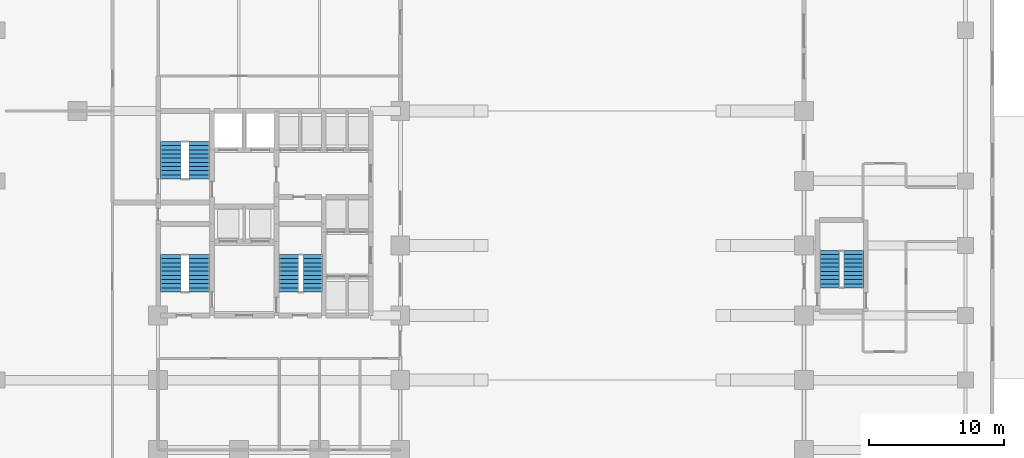
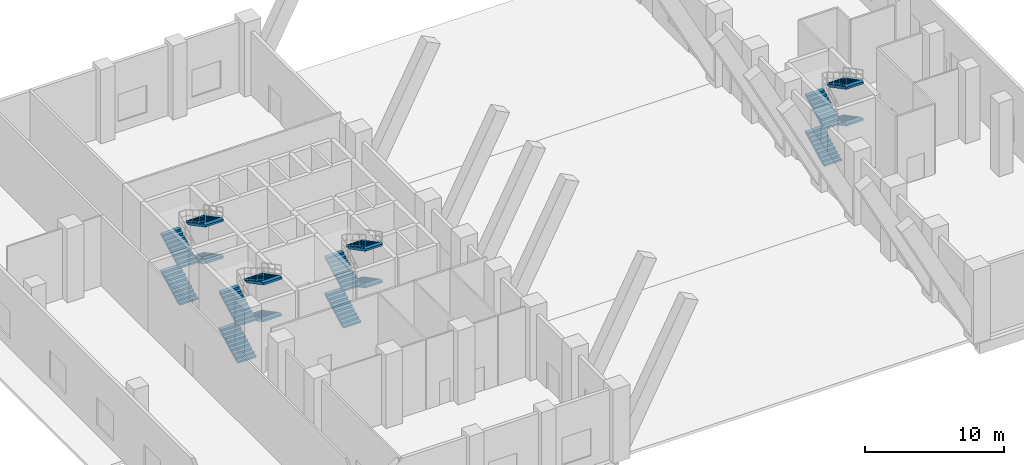
# One storey, part 7 of 10: 16 stair flights, 4 elements without a shape of their own.
"""IFC4 building model written with IfcOpenShell, lengths in metres."""

from ifc_helpers import new_model, si_unit, direction, frame, origin, place, context, subcontext, project, spatial, polyline, outline, extrude, material, type_object, element, aggregate, save


model = new_model("IFC4")

# Units and contexts
model_context = context("Model", 3, precision=1e-05, world=origin(), true_north=direction((0.0, 1.0)))
body_context = subcontext(model_context, "Body", "Model", "MODEL_VIEW")
ifc_project = project(units=[si_unit("LENGTHUNIT", "METRE"), si_unit("AREAUNIT", "SQUARE_METRE"), si_unit("VOLUMEUNIT", "CUBIC_METRE"), si_unit("PLANEANGLEUNIT", "RADIAN"), si_unit("MASSUNIT", "GRAM", prefix="KILO")], contexts=[model_context])

# Site, building, storey
site_placement = place(None, origin())
site = spatial("IfcSite", under=ifc_project, at=site_placement, CompositionType="ELEMENT")
building_placement = place(site_placement, origin())
building = spatial("IfcBuilding", under=site, at=building_placement, Name="Keshet Zoharim Tower", CompositionType="ELEMENT")
storey_placement = place(building_placement, origin())
storey = spatial("IfcBuildingStorey", under=building, at=storey_placement, Name="L00", CompositionType="ELEMENT", Elevation=0.0)

# Stair, stair flights
ifc_material = material(Name="Concrete C50/60", Category="concrete")
stair_type = type_object("IfcStairType", Name="STR-POD-135", PredefinedType="HALF_TURN_STAIR", material=ifc_material)
stair_1_placement = place(storey_placement, origin())
stair_1 = element("IfcStair", 1, at=stair_1_placement, inside=storey, type_object=stair_type, Name="L00 Enclosed Exit Stair ST-01", PredefinedType="HALF_TURN_STAIR")
stair_flight_type_1 = type_object("IfcStairFlightType", Name="FLT-PRE-135", PredefinedType="STRAIGHT", material=ifc_material)
stair_flight_1_placement = place(storey_placement, frame((15.945068359375, 24.43994140625, 0.0), z_axis=(0.0, 0.0, 1.0), x_axis=(0.0, 1.0, 0.0)))
stair_flight_1 = element("IfcStairFlight", 2, at=stair_flight_1_placement, type_object=stair_flight_type_1, Name="ST-01 flight 1", NumberOfRisers=10, NumberOfTreads=9, PredefinedType="STRAIGHT", RiserHeight=0.1625, TreadLength=0.31, context=body_context, shape_type="SweptSolid", body=[
    extrude(outline(polyline([(0.0, 0.0), (0.0, 0.16259765625), (0.31005859375, 0.16259765625), (0.31005859375, 0.324951171875), (0.6201171875, 0.324951171875), (0.6201171875, 0.487548828125), (0.929931640625, 0.487548828125), (0.929931640625, 0.64990234375), (1.239990234375, 0.64990234375), (1.239990234375, 0.8125), (1.550048828125, 0.8125), (1.550048828125, 0.97509765625), (1.860107421875, 0.97509765625), (1.860107421875, 1.137451171875), (2.169921875, 1.137451171875), (2.169921875, 1.300048828125), (2.47998046875, 1.300048828125), (2.47998046875, 1.46240234375), (2.7900390625, 1.46240234375), (2.7900390625, 1.625), (2.7900390625, 1.281982421875), (0.344482421875, 0.0), (0.0, 0.0)])), frame((0.0, 0.76513671875, 0.0), z_axis=(0.0, -1.0, 0.0), x_axis=(1.0, 0.0, 0.0)), (0.0, 0.0, 1.0), 1.530029296875),
])
stair_flight_2_placement = place(storey_placement, frame((18.054931640625, 27.22998046875, 1.625), z_axis=(0.0, 0.0, 1.0), x_axis=(0.0, -1.0, 0.0)))
stair_flight_2 = element("IfcStairFlight", 3, at=stair_flight_2_placement, type_object=stair_flight_type_1, Name="ST-01 flight 2", NumberOfRisers=10, NumberOfTreads=9, PredefinedType="STRAIGHT", RiserHeight=0.1625, TreadLength=0.31, context=body_context, shape_type="SweptSolid", body=[
    extrude(outline(polyline([(0.0, 0.0), (0.0, 0.16259765625), (0.31005859375, 0.16259765625), (0.31005859375, 0.324951171875), (0.6201171875, 0.324951171875), (0.6201171875, 0.487548828125), (0.929931640625, 0.487548828125), (0.929931640625, 0.64990234375), (1.239990234375, 0.64990234375), (1.239990234375, 0.8125), (1.550048828125, 0.8125), (1.550048828125, 0.97509765625), (1.860107421875, 0.97509765625), (1.860107421875, 1.137451171875), (2.169921875, 1.137451171875), (2.169921875, 1.300048828125), (2.47998046875, 1.300048828125), (2.47998046875, 1.46240234375), (2.7900390625, 1.46240234375), (2.7900390625, 1.625), (2.7900390625, 1.281982421875), (0.344482421875, 0.0), (0.0, 0.0)])), frame((0.0, 0.76513671875, 0.0), z_axis=(0.0, -1.0, 0.0), x_axis=(1.0, 0.0, 0.0)), (0.0, 0.0, 1.0), 1.530029296875),
])
stair_flight_3_placement = place(storey_placement, frame((15.945068359375, 24.43994140625, 3.25), z_axis=(0.0, 0.0, 1.0), x_axis=(0.0, 1.0, 0.0)))
stair_flight_3 = element("IfcStairFlight", 4, at=stair_flight_3_placement, type_object=stair_flight_type_1, Name="ST-01 flight 3", NumberOfRisers=10, NumberOfTreads=9, PredefinedType="STRAIGHT", RiserHeight=0.1625, TreadLength=0.31, context=body_context, shape_type="SweptSolid", body=[
    extrude(outline(polyline([(0.0, 0.0), (0.0, 0.16259765625), (0.31005859375, 0.16259765625), (0.31005859375, 0.324951171875), (0.6201171875, 0.324951171875), (0.6201171875, 0.487548828125), (0.929931640625, 0.487548828125), (0.929931640625, 0.64990234375), (1.239990234375, 0.64990234375), (1.239990234375, 0.8125), (1.550048828125, 0.8125), (1.550048828125, 0.97509765625), (1.860107421875, 0.97509765625), (1.860107421875, 1.137451171875), (2.169921875, 1.137451171875), (2.169921875, 1.300048828125), (2.47998046875, 1.300048828125), (2.47998046875, 1.46240234375), (2.7900390625, 1.46240234375), (2.7900390625, 1.625), (2.7900390625, 1.281982421875), (0.344482421875, 0.0), (0.0, 0.0)])), frame((0.0, 0.76513671875, 0.0), z_axis=(0.0, -1.0, 0.0), x_axis=(1.0, 0.0, 0.0)), (0.0, 0.0, 1.0), 1.530029296875),
])
stair_flight_4_placement = place(storey_placement, frame((18.054931640625, 27.22998046875, 4.875), z_axis=(0.0, 0.0, 1.0), x_axis=(0.0, -1.0, 0.0)))
stair_flight_4 = element("IfcStairFlight", 5, at=stair_flight_4_placement, type_object=stair_flight_type_1, Name="ST-01 flight 4", NumberOfRisers=10, NumberOfTreads=9, PredefinedType="STRAIGHT", RiserHeight=0.1625, TreadLength=0.31, context=body_context, shape_type="SweptSolid", body=[
    extrude(outline(polyline([(0.0, 0.0), (0.0, 0.16259765625), (0.31005859375, 0.16259765625), (0.31005859375, 0.324951171875), (0.6201171875, 0.324951171875), (0.6201171875, 0.487548828125), (0.929931640625, 0.487548828125), (0.929931640625, 0.64990234375), (1.239990234375, 0.64990234375), (1.239990234375, 0.8125), (1.550048828125, 0.8125), (1.550048828125, 0.97509765625), (1.860107421875, 0.97509765625), (1.860107421875, 1.137451171875), (2.169921875, 1.137451171875), (2.169921875, 1.300048828125), (2.47998046875, 1.300048828125), (2.47998046875, 1.46240234375), (2.7900390625, 1.46240234375), (2.7900390625, 1.625), (2.7900390625, 1.281982421875), (0.344482421875, 0.0), (0.0, 0.0)])), frame((0.0, 0.76513671875, 0.0), z_axis=(0.0, -1.0, 0.0), x_axis=(1.0, 0.0, 0.0)), (0.0, 0.0, 1.0), 1.530029296875),
])
aggregate(stair_1, [stair_flight_1, stair_flight_2, stair_flight_3, stair_flight_4])

stair_2_placement = place(storey_placement, origin())
stair_2 = element("IfcStair", 6, at=stair_2_placement, inside=storey, type_object=stair_type, Name="L00 Enclosed Exit Stair ST-02", PredefinedType="HALF_TURN_STAIR")
stair_flight_5_placement = place(storey_placement, frame((15.945068359375, 32.840087890625, 0.0), z_axis=(0.0, 0.0, 1.0), x_axis=(0.0, 1.0, 0.0)))
stair_flight_5 = element("IfcStairFlight", 7, at=stair_flight_5_placement, type_object=stair_flight_type_1, Name="ST-02 flight 1", NumberOfRisers=10, NumberOfTreads=9, PredefinedType="STRAIGHT", RiserHeight=0.1625, TreadLength=0.31, context=body_context, shape_type="SweptSolid", body=[
    extrude(outline(polyline([(0.0, 0.0), (0.0, 0.16259765625), (0.31005859375, 0.16259765625), (0.31005859375, 0.324951171875), (0.6201171875, 0.324951171875), (0.6201171875, 0.487548828125), (0.929931640625, 0.487548828125), (0.929931640625, 0.64990234375), (1.239990234375, 0.64990234375), (1.239990234375, 0.8125), (1.550048828125, 0.8125), (1.550048828125, 0.97509765625), (1.860107421875, 0.97509765625), (1.860107421875, 1.137451171875), (2.169921875, 1.137451171875), (2.169921875, 1.300048828125), (2.47998046875, 1.300048828125), (2.47998046875, 1.46240234375), (2.7900390625, 1.46240234375), (2.7900390625, 1.625), (2.7900390625, 1.281982421875), (0.344482421875, 0.0), (0.0, 0.0)])), frame((0.0, 0.76513671875, 0.0), z_axis=(0.0, -1.0, 0.0), x_axis=(1.0, 0.0, 0.0)), (0.0, 0.0, 1.0), 1.530029296875),
])
stair_flight_6_placement = place(storey_placement, frame((18.054931640625, 35.6298828125, 1.625), z_axis=(0.0, 0.0, 1.0), x_axis=(0.0, -1.0, 0.0)))
stair_flight_6 = element("IfcStairFlight", 8, at=stair_flight_6_placement, type_object=stair_flight_type_1, Name="ST-02 flight 2", NumberOfRisers=10, NumberOfTreads=9, PredefinedType="STRAIGHT", RiserHeight=0.1625, TreadLength=0.31, context=body_context, shape_type="SweptSolid", body=[
    extrude(outline(polyline([(0.0, 0.0), (0.0, 0.16259765625), (0.31005859375, 0.16259765625), (0.31005859375, 0.324951171875), (0.6201171875, 0.324951171875), (0.6201171875, 0.487548828125), (0.929931640625, 0.487548828125), (0.929931640625, 0.64990234375), (1.239990234375, 0.64990234375), (1.239990234375, 0.8125), (1.550048828125, 0.8125), (1.550048828125, 0.97509765625), (1.860107421875, 0.97509765625), (1.860107421875, 1.137451171875), (2.169921875, 1.137451171875), (2.169921875, 1.300048828125), (2.47998046875, 1.300048828125), (2.47998046875, 1.46240234375), (2.7900390625, 1.46240234375), (2.7900390625, 1.625), (2.7900390625, 1.281982421875), (0.344482421875, 0.0), (0.0, 0.0)])), frame((0.0, 0.76513671875, 0.0), z_axis=(0.0, -1.0, 0.0), x_axis=(1.0, 0.0, 0.0)), (0.0, 0.0, 1.0), 1.530029296875),
])
stair_flight_7_placement = place(storey_placement, frame((15.945068359375, 32.840087890625, 3.25), z_axis=(0.0, 0.0, 1.0), x_axis=(0.0, 1.0, 0.0)))
stair_flight_7 = element("IfcStairFlight", 9, at=stair_flight_7_placement, type_object=stair_flight_type_1, Name="ST-02 flight 3", NumberOfRisers=10, NumberOfTreads=9, PredefinedType="STRAIGHT", RiserHeight=0.1625, TreadLength=0.31, context=body_context, shape_type="SweptSolid", body=[
    extrude(outline(polyline([(0.0, 0.0), (0.0, 0.16259765625), (0.31005859375, 0.16259765625), (0.31005859375, 0.324951171875), (0.6201171875, 0.324951171875), (0.6201171875, 0.487548828125), (0.929931640625, 0.487548828125), (0.929931640625, 0.64990234375), (1.239990234375, 0.64990234375), (1.239990234375, 0.8125), (1.550048828125, 0.8125), (1.550048828125, 0.97509765625), (1.860107421875, 0.97509765625), (1.860107421875, 1.137451171875), (2.169921875, 1.137451171875), (2.169921875, 1.300048828125), (2.47998046875, 1.300048828125), (2.47998046875, 1.46240234375), (2.7900390625, 1.46240234375), (2.7900390625, 1.625), (2.7900390625, 1.281982421875), (0.344482421875, 0.0), (0.0, 0.0)])), frame((0.0, 0.76513671875, 0.0), z_axis=(0.0, -1.0, 0.0), x_axis=(1.0, 0.0, 0.0)), (0.0, 0.0, 1.0), 1.530029296875),
])
stair_flight_8_placement = place(storey_placement, frame((18.054931640625, 35.6298828125, 4.875), z_axis=(0.0, 0.0, 1.0), x_axis=(0.0, -1.0, 0.0)))
stair_flight_8 = element("IfcStairFlight", 10, at=stair_flight_8_placement, type_object=stair_flight_type_1, Name="ST-02 flight 4", NumberOfRisers=10, NumberOfTreads=9, PredefinedType="STRAIGHT", RiserHeight=0.1625, TreadLength=0.31, context=body_context, shape_type="SweptSolid", body=[
    extrude(outline(polyline([(0.0, 0.0), (0.0, 0.16259765625), (0.31005859375, 0.16259765625), (0.31005859375, 0.324951171875), (0.6201171875, 0.324951171875), (0.6201171875, 0.487548828125), (0.929931640625, 0.487548828125), (0.929931640625, 0.64990234375), (1.239990234375, 0.64990234375), (1.239990234375, 0.8125), (1.550048828125, 0.8125), (1.550048828125, 0.97509765625), (1.860107421875, 0.97509765625), (1.860107421875, 1.137451171875), (2.169921875, 1.137451171875), (2.169921875, 1.300048828125), (2.47998046875, 1.300048828125), (2.47998046875, 1.46240234375), (2.7900390625, 1.46240234375), (2.7900390625, 1.625), (2.7900390625, 1.281982421875), (0.344482421875, 0.0), (0.0, 0.0)])), frame((0.0, 0.76513671875, 0.0), z_axis=(0.0, -1.0, 0.0), x_axis=(1.0, 0.0, 0.0)), (0.0, 0.0, 1.0), 1.530029296875),
])
aggregate(stair_2, [stair_flight_5, stair_flight_6, stair_flight_7, stair_flight_8])

stair_3_placement = place(storey_placement, origin())
stair_3 = element("IfcStair", 11, at=stair_3_placement, inside=storey, type_object=stair_type, Name="L00 Enclosed Exit Stair ST-03", PredefinedType="HALF_TURN_STAIR")
stair_flight_type_2 = type_object("IfcStairFlightType", Name="FLT-PRE-144", PredefinedType="STRAIGHT", material=ifc_material)
stair_flight_9_placement = place(storey_placement, frame((24.699951171875, 24.43994140625, 0.0), z_axis=(0.0, 0.0, 1.0), x_axis=(0.0, 1.0, 0.0)))
stair_flight_9 = element("IfcStairFlight", 12, at=stair_flight_9_placement, type_object=stair_flight_type_2, Name="ST-03 flight 1", NumberOfRisers=10, NumberOfTreads=9, PredefinedType="STRAIGHT", RiserHeight=0.1625, TreadLength=0.31, context=body_context, shape_type="SweptSolid", body=[
    extrude(outline(polyline([(0.0, 0.0), (0.0, 0.16259765625), (0.31005859375, 0.16259765625), (0.31005859375, 0.324951171875), (0.6201171875, 0.324951171875), (0.6201171875, 0.487548828125), (0.929931640625, 0.487548828125), (0.929931640625, 0.64990234375), (1.239990234375, 0.64990234375), (1.239990234375, 0.8125), (1.550048828125, 0.8125), (1.550048828125, 0.97509765625), (1.860107421875, 0.97509765625), (1.860107421875, 1.137451171875), (2.169921875, 1.137451171875), (2.169921875, 1.300048828125), (2.47998046875, 1.300048828125), (2.47998046875, 1.46240234375), (2.7900390625, 1.46240234375), (2.7900390625, 1.625), (2.7900390625, 1.281982421875), (0.344482421875, 0.0), (0.0, 0.0)])), frame((0.0, 0.719970703125, 0.0), z_axis=(0.0, -1.0, 0.0), x_axis=(1.0, 0.0, 0.0)), (0.0, 0.0, 1.0), 1.43994140625),
])
stair_flight_10_placement = place(storey_placement, frame((26.5, 27.22998046875, 1.625), z_axis=(0.0, 0.0, 1.0), x_axis=(0.0, -1.0, 0.0)))
stair_flight_10 = element("IfcStairFlight", 13, at=stair_flight_10_placement, type_object=stair_flight_type_2, Name="ST-03 flight 2", NumberOfRisers=10, NumberOfTreads=9, PredefinedType="STRAIGHT", RiserHeight=0.1625, TreadLength=0.31, context=body_context, shape_type="SweptSolid", body=[
    extrude(outline(polyline([(0.0, 0.0), (0.0, 0.16259765625), (0.31005859375, 0.16259765625), (0.31005859375, 0.324951171875), (0.6201171875, 0.324951171875), (0.6201171875, 0.487548828125), (0.929931640625, 0.487548828125), (0.929931640625, 0.64990234375), (1.239990234375, 0.64990234375), (1.239990234375, 0.8125), (1.550048828125, 0.8125), (1.550048828125, 0.97509765625), (1.860107421875, 0.97509765625), (1.860107421875, 1.137451171875), (2.169921875, 1.137451171875), (2.169921875, 1.300048828125), (2.47998046875, 1.300048828125), (2.47998046875, 1.46240234375), (2.7900390625, 1.46240234375), (2.7900390625, 1.625), (2.7900390625, 1.281982421875), (0.344482421875, 0.0), (0.0, 0.0)])), frame((0.0, 0.719970703125, 0.0), z_axis=(0.0, -1.0, 0.0), x_axis=(1.0, 0.0, 0.0)), (0.0, 0.0, 1.0), 1.43994140625),
])
stair_flight_11_placement = place(storey_placement, frame((24.699951171875, 24.43994140625, 3.25), z_axis=(0.0, 0.0, 1.0), x_axis=(0.0, 1.0, 0.0)))
stair_flight_11 = element("IfcStairFlight", 14, at=stair_flight_11_placement, type_object=stair_flight_type_2, Name="ST-03 flight 3", NumberOfRisers=10, NumberOfTreads=9, PredefinedType="STRAIGHT", RiserHeight=0.1625, TreadLength=0.31, context=body_context, shape_type="SweptSolid", body=[
    extrude(outline(polyline([(0.0, 0.0), (0.0, 0.16259765625), (0.31005859375, 0.16259765625), (0.31005859375, 0.324951171875), (0.6201171875, 0.324951171875), (0.6201171875, 0.487548828125), (0.929931640625, 0.487548828125), (0.929931640625, 0.64990234375), (1.239990234375, 0.64990234375), (1.239990234375, 0.8125), (1.550048828125, 0.8125), (1.550048828125, 0.97509765625), (1.860107421875, 0.97509765625), (1.860107421875, 1.137451171875), (2.169921875, 1.137451171875), (2.169921875, 1.300048828125), (2.47998046875, 1.300048828125), (2.47998046875, 1.46240234375), (2.7900390625, 1.46240234375), (2.7900390625, 1.625), (2.7900390625, 1.281982421875), (0.344482421875, 0.0), (0.0, 0.0)])), frame((0.0, 0.719970703125, 0.0), z_axis=(0.0, -1.0, 0.0), x_axis=(1.0, 0.0, 0.0)), (0.0, 0.0, 1.0), 1.43994140625),
])
stair_flight_12_placement = place(storey_placement, frame((26.5, 27.22998046875, 4.875), z_axis=(0.0, 0.0, 1.0), x_axis=(0.0, -1.0, 0.0)))
stair_flight_12 = element("IfcStairFlight", 15, at=stair_flight_12_placement, type_object=stair_flight_type_2, Name="ST-03 flight 4", NumberOfRisers=10, NumberOfTreads=9, PredefinedType="STRAIGHT", RiserHeight=0.1625, TreadLength=0.31, context=body_context, shape_type="SweptSolid", body=[
    extrude(outline(polyline([(0.0, 0.0), (0.0, 0.16259765625), (0.31005859375, 0.16259765625), (0.31005859375, 0.324951171875), (0.6201171875, 0.324951171875), (0.6201171875, 0.487548828125), (0.929931640625, 0.487548828125), (0.929931640625, 0.64990234375), (1.239990234375, 0.64990234375), (1.239990234375, 0.8125), (1.550048828125, 0.8125), (1.550048828125, 0.97509765625), (1.860107421875, 0.97509765625), (1.860107421875, 1.137451171875), (2.169921875, 1.137451171875), (2.169921875, 1.300048828125), (2.47998046875, 1.300048828125), (2.47998046875, 1.46240234375), (2.7900390625, 1.46240234375), (2.7900390625, 1.625), (2.7900390625, 1.281982421875), (0.344482421875, 0.0), (0.0, 0.0)])), frame((0.0, 0.719970703125, 0.0), z_axis=(0.0, -1.0, 0.0), x_axis=(1.0, 0.0, 0.0)), (0.0, 0.0, 1.0), 1.43994140625),
])
aggregate(stair_3, [stair_flight_9, stair_flight_10, stair_flight_11, stair_flight_12])

stair_4_placement = place(storey_placement, origin())
stair_4 = element("IfcStair", 16, at=stair_4_placement, inside=storey, type_object=stair_type, Name="L00 Enclosed Exit Stair ST-04", PredefinedType="HALF_TURN_STAIR")
stair_flight_13_placement = place(storey_placement, frame((64.89990234375, 24.739990234375, 0.0), z_axis=(0.0, 0.0, 1.0), x_axis=(0.0, 1.0, 0.0)))
stair_flight_13 = element("IfcStairFlight", 17, at=stair_flight_13_placement, type_object=stair_flight_type_2, Name="ST-04 flight 1", NumberOfRisers=10, NumberOfTreads=9, PredefinedType="STRAIGHT", RiserHeight=0.1625, TreadLength=0.31, context=body_context, shape_type="SweptSolid", body=[
    extrude(outline(polyline([(0.0, 0.0), (0.0, 0.16259765625), (0.31005859375, 0.16259765625), (0.31005859375, 0.324951171875), (0.6201171875, 0.324951171875), (0.6201171875, 0.487548828125), (0.929931640625, 0.487548828125), (0.929931640625, 0.64990234375), (1.239990234375, 0.64990234375), (1.239990234375, 0.8125), (1.550048828125, 0.8125), (1.550048828125, 0.97509765625), (1.860107421875, 0.97509765625), (1.860107421875, 1.137451171875), (2.169921875, 1.137451171875), (2.169921875, 1.300048828125), (2.47998046875, 1.300048828125), (2.47998046875, 1.46240234375), (2.7900390625, 1.46240234375), (2.7900390625, 1.625), (2.7900390625, 1.281982421875), (0.344482421875, 0.0), (0.0, 0.0)])), frame((0.0, 0.719970703125, 0.0), z_axis=(0.0, -1.0, 0.0), x_axis=(1.0, 0.0, 0.0)), (0.0, 0.0, 1.0), 1.43994140625),
])
stair_flight_14_placement = place(storey_placement, frame((66.699951171875, 27.530029296875, 1.625), z_axis=(0.0, 0.0, 1.0), x_axis=(0.0, -1.0, 0.0)))
stair_flight_14 = element("IfcStairFlight", 18, at=stair_flight_14_placement, type_object=stair_flight_type_2, Name="ST-04 flight 2", NumberOfRisers=10, NumberOfTreads=9, PredefinedType="STRAIGHT", RiserHeight=0.1625, TreadLength=0.31, context=body_context, shape_type="SweptSolid", body=[
    extrude(outline(polyline([(0.0, 0.0), (0.0, 0.16259765625), (0.31005859375, 0.16259765625), (0.31005859375, 0.324951171875), (0.6201171875, 0.324951171875), (0.6201171875, 0.487548828125), (0.929931640625, 0.487548828125), (0.929931640625, 0.64990234375), (1.239990234375, 0.64990234375), (1.239990234375, 0.8125), (1.550048828125, 0.8125), (1.550048828125, 0.97509765625), (1.860107421875, 0.97509765625), (1.860107421875, 1.137451171875), (2.169921875, 1.137451171875), (2.169921875, 1.300048828125), (2.47998046875, 1.300048828125), (2.47998046875, 1.46240234375), (2.7900390625, 1.46240234375), (2.7900390625, 1.625), (2.7900390625, 1.281982421875), (0.344482421875, 0.0), (0.0, 0.0)])), frame((0.0, 0.719970703125, 0.0), z_axis=(0.0, -1.0, 0.0), x_axis=(1.0, 0.0, 0.0)), (0.0, 0.0, 1.0), 1.43994140625),
])
stair_flight_15_placement = place(storey_placement, frame((64.89990234375, 24.739990234375, 3.25), z_axis=(0.0, 0.0, 1.0), x_axis=(0.0, 1.0, 0.0)))
stair_flight_15 = element("IfcStairFlight", 19, at=stair_flight_15_placement, type_object=stair_flight_type_2, Name="ST-04 flight 3", NumberOfRisers=10, NumberOfTreads=9, PredefinedType="STRAIGHT", RiserHeight=0.1625, TreadLength=0.31, context=body_context, shape_type="SweptSolid", body=[
    extrude(outline(polyline([(0.0, 0.0), (0.0, 0.16259765625), (0.31005859375, 0.16259765625), (0.31005859375, 0.324951171875), (0.6201171875, 0.324951171875), (0.6201171875, 0.487548828125), (0.929931640625, 0.487548828125), (0.929931640625, 0.64990234375), (1.239990234375, 0.64990234375), (1.239990234375, 0.8125), (1.550048828125, 0.8125), (1.550048828125, 0.97509765625), (1.860107421875, 0.97509765625), (1.860107421875, 1.137451171875), (2.169921875, 1.137451171875), (2.169921875, 1.300048828125), (2.47998046875, 1.300048828125), (2.47998046875, 1.46240234375), (2.7900390625, 1.46240234375), (2.7900390625, 1.625), (2.7900390625, 1.281982421875), (0.344482421875, 0.0), (0.0, 0.0)])), frame((0.0, 0.719970703125, 0.0), z_axis=(0.0, -1.0, 0.0), x_axis=(1.0, 0.0, 0.0)), (0.0, 0.0, 1.0), 1.43994140625),
])
stair_flight_16_placement = place(storey_placement, frame((66.699951171875, 27.530029296875, 4.875), z_axis=(0.0, 0.0, 1.0), x_axis=(0.0, -1.0, 0.0)))
stair_flight_16 = element("IfcStairFlight", 20, at=stair_flight_16_placement, type_object=stair_flight_type_2, Name="ST-04 flight 4", NumberOfRisers=10, NumberOfTreads=9, PredefinedType="STRAIGHT", RiserHeight=0.1625, TreadLength=0.31, context=body_context, shape_type="SweptSolid", body=[
    extrude(outline(polyline([(0.0, 0.0), (0.0, 0.16259765625), (0.31005859375, 0.16259765625), (0.31005859375, 0.324951171875), (0.6201171875, 0.324951171875), (0.6201171875, 0.487548828125), (0.929931640625, 0.487548828125), (0.929931640625, 0.64990234375), (1.239990234375, 0.64990234375), (1.239990234375, 0.8125), (1.550048828125, 0.8125), (1.550048828125, 0.97509765625), (1.860107421875, 0.97509765625), (1.860107421875, 1.137451171875), (2.169921875, 1.137451171875), (2.169921875, 1.300048828125), (2.47998046875, 1.300048828125), (2.47998046875, 1.46240234375), (2.7900390625, 1.46240234375), (2.7900390625, 1.625), (2.7900390625, 1.281982421875), (0.344482421875, 0.0), (0.0, 0.0)])), frame((0.0, 0.719970703125, 0.0), z_axis=(0.0, -1.0, 0.0), x_axis=(1.0, 0.0, 0.0)), (0.0, 0.0, 1.0), 1.43994140625),
])
aggregate(stair_4, [stair_flight_13, stair_flight_14, stair_flight_15, stair_flight_16])

save(model, "model.ifc")
